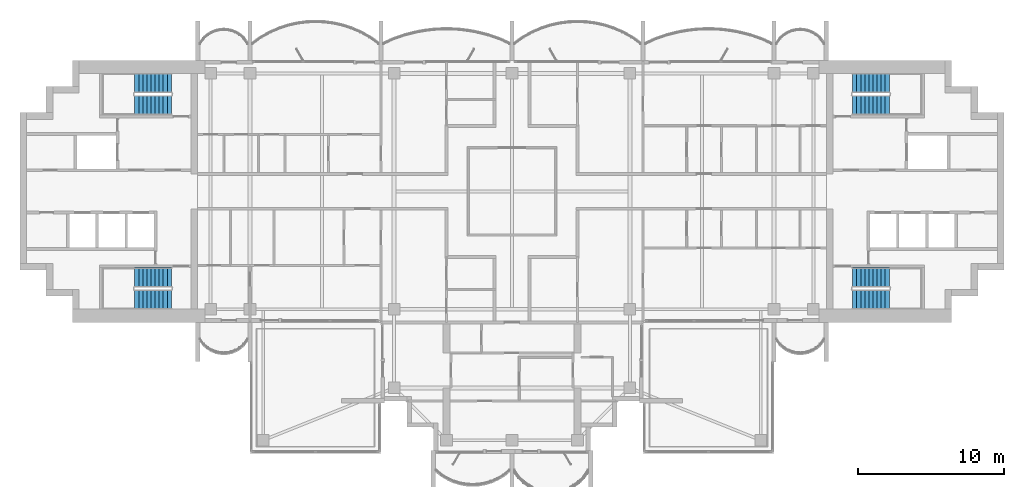
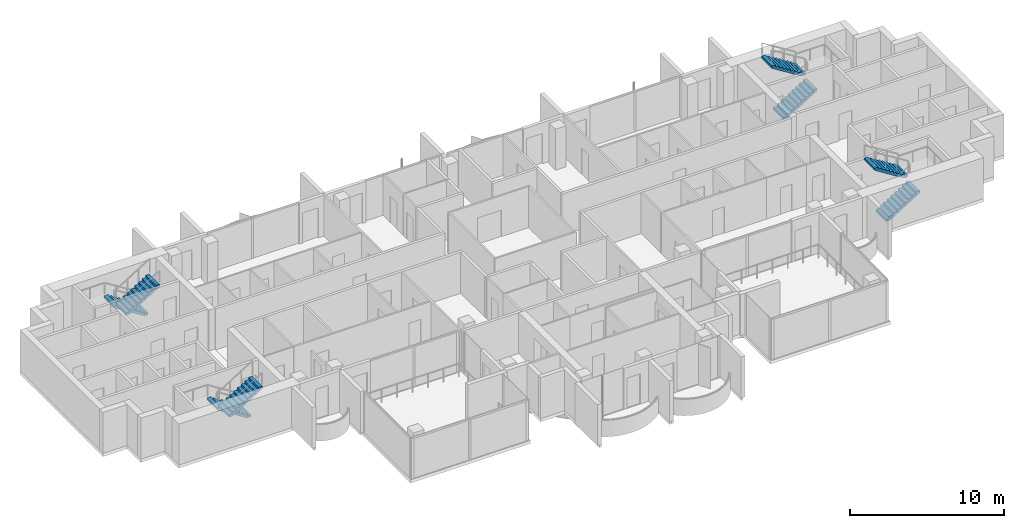
# One storey, part 12 of 16: 8 stair flights, 4 elements without a shape of their own.
"""IFC4 building model written with IfcOpenShell, lengths in metres."""

from ifc_helpers import new_model, si_unit, direction, frame, origin, place, context, subcontext, project, spatial, polyline, outline, extrude, material, type_object, element, aggregate, save


model = new_model("IFC4")

# Units and contexts
model_context = context("Model", 3, precision=1e-05, world=origin(), true_north=direction((0.0, 1.0)))
body_context = subcontext(model_context, "Body", "Model", "MODEL_VIEW")
ifc_project = project(units=[si_unit("LENGTHUNIT", "METRE"), si_unit("AREAUNIT", "SQUARE_METRE"), si_unit("VOLUMEUNIT", "CUBIC_METRE"), si_unit("PLANEANGLEUNIT", "RADIAN"), si_unit("MASSUNIT", "GRAM", prefix="KILO")], contexts=[model_context])

# Site, building, storey
site_placement = place(None, origin())
site = spatial("IfcSite", under=ifc_project, at=site_placement, CompositionType="ELEMENT")
building_placement = place(site_placement, origin())
building = spatial("IfcBuilding", under=site, at=building_placement, Name="Perihelion Cross Residences", CompositionType="ELEMENT")
storey_placement = place(building_placement, frame((0.0, 0.0, 246.5)))
storey = spatial("IfcBuildingStorey", under=building, at=storey_placement, Name="L62", CompositionType="ELEMENT", Elevation=246.5)

# Stair, stair flights
ifc_material_1 = material(Name="Concrete C40/50", Category="concrete")
stair_type = type_object("IfcStairType", Name="Exit stair, half-turn", PredefinedType="HALF_TURN_STAIR", material=ifc_material_1)
stair_1_placement = place(storey_placement, origin())
stair_1 = element("IfcStair", 1, at=stair_1_placement, inside=storey, type_object=stair_type, Name="L62 East core exit stair 1", PredefinedType="HALF_TURN_STAIR")
ifc_material_2 = material(Name="Concrete C40/50", Category="concrete")
stair_flight_type = type_object("IfcStairFlightType", Name="Exit stair flight", PredefinedType="STRAIGHT", material=ifc_material_2)
stair_flight_1_placement = place(storey_placement, frame((23.39990234375, 5.925048828125, 0.0), z_axis=(0.0, 0.0, 1.0), x_axis=(1.0, 0.0, 0.0)))
stair_flight_1 = element("IfcStairFlight", 2, at=stair_flight_1_placement, type_object=stair_flight_type, Name="ST-E1 flight 1", NumberOfRisers=10, NumberOfTreads=9, PredefinedType="STRAIGHT", RiserHeight=0.175, TreadLength=0.28, context=body_context, shape_type="SweptSolid", body=[
    extrude(outline(polyline([(0.0, 0.0), (0.0, 0.175048828125), (0.280029296875, 0.175048828125), (0.280029296875, 0.35009765625), (0.56005859375, 0.35009765625), (0.56005859375, 0.52490234375), (0.840087890625, 0.52490234375), (0.840087890625, 0.699951171875), (1.1201171875, 0.699951171875), (1.1201171875, 0.875), (1.39990234375, 0.875), (1.39990234375, 1.050048828125), (1.679931640625, 1.050048828125), (1.679931640625, 1.22509765625), (1.9599609375, 1.22509765625), (1.9599609375, 1.39990234375), (2.239990234375, 1.39990234375), (2.239990234375, 1.574951171875), (2.52001953125, 1.574951171875), (2.52001953125, 1.75), (2.52001953125, 1.398193359375), (0.28271484375, 0.0), (0.0, 0.0)])), frame((0.0, 0.675048828125, 0.0), z_axis=(0.0, -1.0, 0.0), x_axis=(1.0, 0.0, 0.0)), (0.0, 0.0, 1.0), 1.35009765625),
])
stair_flight_2_placement = place(storey_placement, frame((25.919921875, 7.425048828125, 1.75), z_axis=(0.0, 0.0, 1.0), x_axis=(-1.0, 0.0, 0.0)))
stair_flight_2 = element("IfcStairFlight", 3, at=stair_flight_2_placement, type_object=stair_flight_type, Name="ST-E1 flight 2", NumberOfRisers=10, NumberOfTreads=9, PredefinedType="STRAIGHT", RiserHeight=0.175, TreadLength=0.28, context=body_context, shape_type="SweptSolid", body=[
    extrude(outline(polyline([(0.0, 0.0), (0.0, 0.175048828125), (0.280029296875, 0.175048828125), (0.280029296875, 0.35009765625), (0.56005859375, 0.35009765625), (0.56005859375, 0.52490234375), (0.840087890625, 0.52490234375), (0.840087890625, 0.699951171875), (1.1201171875, 0.699951171875), (1.1201171875, 0.875), (1.39990234375, 0.875), (1.39990234375, 1.050048828125), (1.679931640625, 1.050048828125), (1.679931640625, 1.22509765625), (1.9599609375, 1.22509765625), (1.9599609375, 1.39990234375), (2.239990234375, 1.39990234375), (2.239990234375, 1.574951171875), (2.52001953125, 1.574951171875), (2.52001953125, 1.75), (2.52001953125, 1.398193359375), (0.28271484375, 0.0), (0.0, 0.0)])), frame((0.0, 0.675048828125, 0.0), z_axis=(0.0, -1.0, 0.0), x_axis=(1.0, 0.0, 0.0)), (0.0, 0.0, 1.0), 1.35009765625),
])
aggregate(stair_1, [stair_flight_1, stair_flight_2])

stair_2_placement = place(storey_placement, origin())
stair_2 = element("IfcStair", 4, at=stair_2_placement, inside=storey, type_object=stair_type, Name="L62 East core exit stair 2", PredefinedType="HALF_TURN_STAIR")
stair_flight_3_placement = place(storey_placement, frame((23.39990234375, -7.425048828125, 0.0), z_axis=(0.0, 0.0, 1.0), x_axis=(1.0, 0.0, 0.0)))
stair_flight_3 = element("IfcStairFlight", 5, at=stair_flight_3_placement, type_object=stair_flight_type, Name="ST-E2 flight 1", NumberOfRisers=10, NumberOfTreads=9, PredefinedType="STRAIGHT", RiserHeight=0.175, TreadLength=0.28, context=body_context, shape_type="SweptSolid", body=[
    extrude(outline(polyline([(0.0, 0.0), (0.0, 0.175048828125), (0.280029296875, 0.175048828125), (0.280029296875, 0.35009765625), (0.56005859375, 0.35009765625), (0.56005859375, 0.52490234375), (0.840087890625, 0.52490234375), (0.840087890625, 0.699951171875), (1.1201171875, 0.699951171875), (1.1201171875, 0.875), (1.39990234375, 0.875), (1.39990234375, 1.050048828125), (1.679931640625, 1.050048828125), (1.679931640625, 1.22509765625), (1.9599609375, 1.22509765625), (1.9599609375, 1.39990234375), (2.239990234375, 1.39990234375), (2.239990234375, 1.574951171875), (2.52001953125, 1.574951171875), (2.52001953125, 1.75), (2.52001953125, 1.398193359375), (0.28271484375, 0.0), (0.0, 0.0)])), frame((0.0, 0.675048828125, 0.0), z_axis=(0.0, -1.0, 0.0), x_axis=(1.0, 0.0, 0.0)), (0.0, 0.0, 1.0), 1.35009765625),
])
stair_flight_4_placement = place(storey_placement, frame((25.919921875, -5.925048828125, 1.75), z_axis=(0.0, 0.0, 1.0), x_axis=(-1.0, 0.0, 0.0)))
stair_flight_4 = element("IfcStairFlight", 6, at=stair_flight_4_placement, type_object=stair_flight_type, Name="ST-E2 flight 2", NumberOfRisers=10, NumberOfTreads=9, PredefinedType="STRAIGHT", RiserHeight=0.175, TreadLength=0.28, context=body_context, shape_type="SweptSolid", body=[
    extrude(outline(polyline([(0.0, 0.0), (0.0, 0.175048828125), (0.280029296875, 0.175048828125), (0.280029296875, 0.35009765625), (0.56005859375, 0.35009765625), (0.56005859375, 0.52490234375), (0.840087890625, 0.52490234375), (0.840087890625, 0.699951171875), (1.1201171875, 0.699951171875), (1.1201171875, 0.875), (1.39990234375, 0.875), (1.39990234375, 1.050048828125), (1.679931640625, 1.050048828125), (1.679931640625, 1.22509765625), (1.9599609375, 1.22509765625), (1.9599609375, 1.39990234375), (2.239990234375, 1.39990234375), (2.239990234375, 1.574951171875), (2.52001953125, 1.574951171875), (2.52001953125, 1.75), (2.52001953125, 1.398193359375), (0.28271484375, 0.0), (0.0, 0.0)])), frame((0.0, 0.675048828125, 0.0), z_axis=(0.0, -1.0, 0.0), x_axis=(1.0, 0.0, 0.0)), (0.0, 0.0, 1.0), 1.35009765625),
])
aggregate(stair_2, [stair_flight_3, stair_flight_4])

stair_3_placement = place(storey_placement, origin())
stair_3 = element("IfcStair", 7, at=stair_3_placement, inside=storey, type_object=stair_type, Name="L62 West core exit stair 1", PredefinedType="HALF_TURN_STAIR")
stair_flight_5_placement = place(storey_placement, frame((-23.39990234375, 7.425048828125, 0.0), z_axis=(0.0, 0.0, 1.0), x_axis=(-1.0, 0.0, 0.0)))
stair_flight_5 = element("IfcStairFlight", 8, at=stair_flight_5_placement, type_object=stair_flight_type, Name="ST-W1 flight 1", NumberOfRisers=10, NumberOfTreads=9, PredefinedType="STRAIGHT", RiserHeight=0.175, TreadLength=0.28, context=body_context, shape_type="SweptSolid", body=[
    extrude(outline(polyline([(0.0, 0.0), (0.0, 0.175048828125), (0.280029296875, 0.175048828125), (0.280029296875, 0.35009765625), (0.56005859375, 0.35009765625), (0.56005859375, 0.52490234375), (0.840087890625, 0.52490234375), (0.840087890625, 0.699951171875), (1.1201171875, 0.699951171875), (1.1201171875, 0.875), (1.39990234375, 0.875), (1.39990234375, 1.050048828125), (1.679931640625, 1.050048828125), (1.679931640625, 1.22509765625), (1.9599609375, 1.22509765625), (1.9599609375, 1.39990234375), (2.239990234375, 1.39990234375), (2.239990234375, 1.574951171875), (2.52001953125, 1.574951171875), (2.52001953125, 1.75), (2.52001953125, 1.398193359375), (0.28271484375, 0.0), (0.0, 0.0)])), frame((0.0, 0.675048828125, 0.0), z_axis=(0.0, -1.0, 0.0), x_axis=(1.0, 0.0, 0.0)), (0.0, 0.0, 1.0), 1.35009765625),
])
stair_flight_6_placement = place(storey_placement, frame((-25.919921875, 5.925048828125, 1.75), z_axis=(0.0, 0.0, 1.0), x_axis=(1.0, 0.0, 0.0)))
stair_flight_6 = element("IfcStairFlight", 9, at=stair_flight_6_placement, type_object=stair_flight_type, Name="ST-W1 flight 2", NumberOfRisers=10, NumberOfTreads=9, PredefinedType="STRAIGHT", RiserHeight=0.175, TreadLength=0.28, context=body_context, shape_type="SweptSolid", body=[
    extrude(outline(polyline([(0.0, 0.0), (0.0, 0.175048828125), (0.280029296875, 0.175048828125), (0.280029296875, 0.35009765625), (0.56005859375, 0.35009765625), (0.56005859375, 0.52490234375), (0.840087890625, 0.52490234375), (0.840087890625, 0.699951171875), (1.1201171875, 0.699951171875), (1.1201171875, 0.875), (1.39990234375, 0.875), (1.39990234375, 1.050048828125), (1.679931640625, 1.050048828125), (1.679931640625, 1.22509765625), (1.9599609375, 1.22509765625), (1.9599609375, 1.39990234375), (2.239990234375, 1.39990234375), (2.239990234375, 1.574951171875), (2.52001953125, 1.574951171875), (2.52001953125, 1.75), (2.52001953125, 1.398193359375), (0.28271484375, 0.0), (0.0, 0.0)])), frame((0.0, 0.675048828125, 0.0), z_axis=(0.0, -1.0, 0.0), x_axis=(1.0, 0.0, 0.0)), (0.0, 0.0, 1.0), 1.35009765625),
])
aggregate(stair_3, [stair_flight_5, stair_flight_6])

stair_4_placement = place(storey_placement, origin())
stair_4 = element("IfcStair", 10, at=stair_4_placement, inside=storey, type_object=stair_type, Name="L62 West core exit stair 2", PredefinedType="HALF_TURN_STAIR")
stair_flight_7_placement = place(storey_placement, frame((-23.39990234375, -5.925048828125, 0.0), z_axis=(0.0, 0.0, 1.0), x_axis=(-1.0, 0.0, 0.0)))
stair_flight_7 = element("IfcStairFlight", 11, at=stair_flight_7_placement, type_object=stair_flight_type, Name="ST-W2 flight 1", NumberOfRisers=10, NumberOfTreads=9, PredefinedType="STRAIGHT", RiserHeight=0.175, TreadLength=0.28, context=body_context, shape_type="SweptSolid", body=[
    extrude(outline(polyline([(0.0, 0.0), (0.0, 0.175048828125), (0.280029296875, 0.175048828125), (0.280029296875, 0.35009765625), (0.56005859375, 0.35009765625), (0.56005859375, 0.52490234375), (0.840087890625, 0.52490234375), (0.840087890625, 0.699951171875), (1.1201171875, 0.699951171875), (1.1201171875, 0.875), (1.39990234375, 0.875), (1.39990234375, 1.050048828125), (1.679931640625, 1.050048828125), (1.679931640625, 1.22509765625), (1.9599609375, 1.22509765625), (1.9599609375, 1.39990234375), (2.239990234375, 1.39990234375), (2.239990234375, 1.574951171875), (2.52001953125, 1.574951171875), (2.52001953125, 1.75), (2.52001953125, 1.398193359375), (0.28271484375, 0.0), (0.0, 0.0)])), frame((0.0, 0.675048828125, 0.0), z_axis=(0.0, -1.0, 0.0), x_axis=(1.0, 0.0, 0.0)), (0.0, 0.0, 1.0), 1.35009765625),
])
stair_flight_8_placement = place(storey_placement, frame((-25.919921875, -7.425048828125, 1.75), z_axis=(0.0, 0.0, 1.0), x_axis=(1.0, 0.0, 0.0)))
stair_flight_8 = element("IfcStairFlight", 12, at=stair_flight_8_placement, type_object=stair_flight_type, Name="ST-W2 flight 2", NumberOfRisers=10, NumberOfTreads=9, PredefinedType="STRAIGHT", RiserHeight=0.175, TreadLength=0.28, context=body_context, shape_type="SweptSolid", body=[
    extrude(outline(polyline([(0.0, 0.0), (0.0, 0.175048828125), (0.280029296875, 0.175048828125), (0.280029296875, 0.35009765625), (0.56005859375, 0.35009765625), (0.56005859375, 0.52490234375), (0.840087890625, 0.52490234375), (0.840087890625, 0.699951171875), (1.1201171875, 0.699951171875), (1.1201171875, 0.875), (1.39990234375, 0.875), (1.39990234375, 1.050048828125), (1.679931640625, 1.050048828125), (1.679931640625, 1.22509765625), (1.9599609375, 1.22509765625), (1.9599609375, 1.39990234375), (2.239990234375, 1.39990234375), (2.239990234375, 1.574951171875), (2.52001953125, 1.574951171875), (2.52001953125, 1.75), (2.52001953125, 1.398193359375), (0.28271484375, 0.0), (0.0, 0.0)])), frame((0.0, 0.675048828125, 0.0), z_axis=(0.0, -1.0, 0.0), x_axis=(1.0, 0.0, 0.0)), (0.0, 0.0, 1.0), 1.35009765625),
])
aggregate(stair_4, [stair_flight_7, stair_flight_8])

save(model, "model.ifc")
